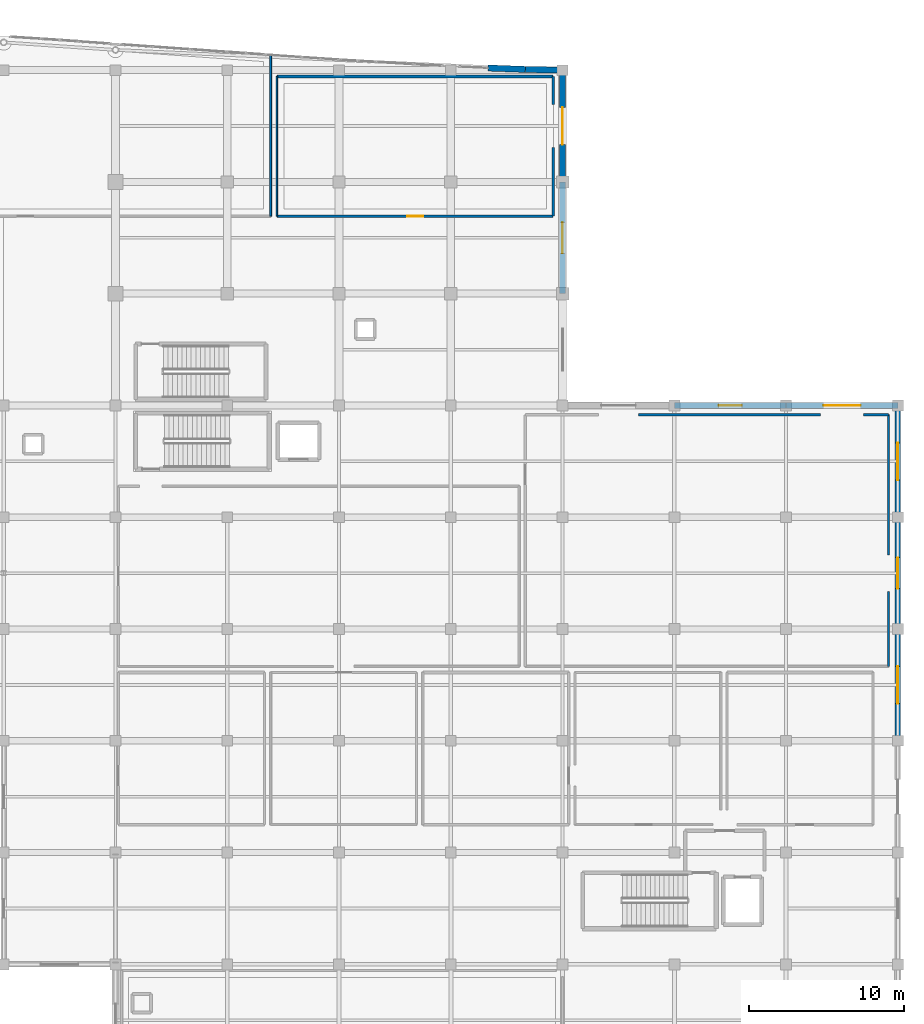
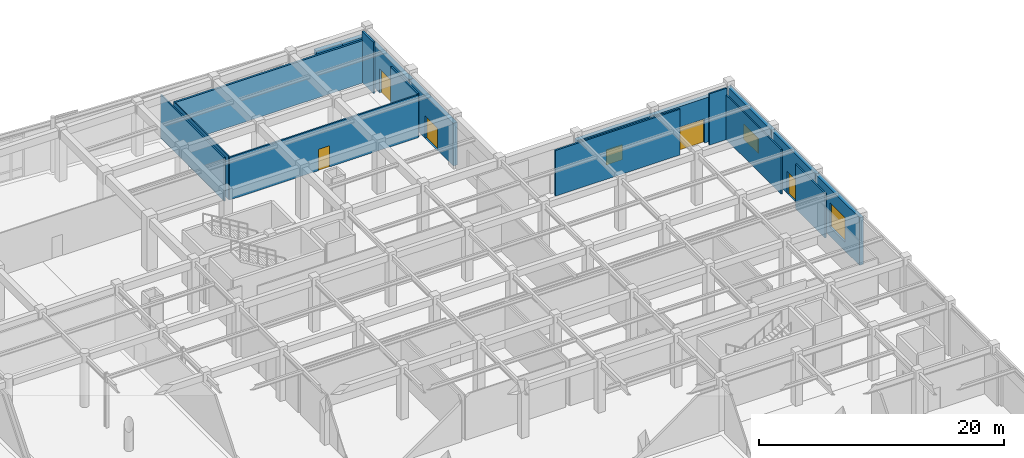
# One storey, part 83 of 102: 19 walls, 5 doors, 3 windows, 8 openings.
"""IFC4 building model written with IfcOpenShell, lengths in metres."""

from ifc_helpers import new_model, si_unit, direction, frame, frame_2d, origin, place, context, subcontext, project, spatial, rectangle, extrude, material, layer, layer_set, type_object, element, fill, save


model = new_model("IFC4")

# Units and contexts
model_context = context("Model", 3, precision=1e-05, world=origin(), true_north=direction((0.0, 1.0)))
body_context = subcontext(model_context, "Body", "Model", "MODEL_VIEW")
ifc_project = project(units=[si_unit("LENGTHUNIT", "METRE"), si_unit("AREAUNIT", "SQUARE_METRE"), si_unit("VOLUMEUNIT", "CUBIC_METRE"), si_unit("PLANEANGLEUNIT", "RADIAN"), si_unit("MASSUNIT", "GRAM", prefix="KILO")], contexts=[model_context])

# Site, building, storey
site_placement = place(None, origin())
site = spatial("IfcSite", under=ifc_project, at=site_placement, CompositionType="ELEMENT")
building_placement = place(site_placement, origin())
building = spatial("IfcBuilding", under=site, at=building_placement, Name="Carrowvane Square Congress Hotel", CompositionType="ELEMENT")
storey_placement = place(building_placement, origin())
storey = spatial("IfcBuildingStorey", under=building, at=storey_placement, Name="L00", CompositionType="ELEMENT", Elevation=0.0)

# Wall, opening, window
ifc_material_1 = material(Name="Glazed terracotta rainscreen", Category="masonry")
ifc_layer_1 = layer(ifc_material_1, 0.360107421875)
ifc_layer_set_1 = layer_set([ifc_layer_1], Name="Glazed terracotta rainscreen")
wall_type_1 = type_object("IfcWallType", Name="WL-EXT-TC360", PredefinedType="STANDARD", material=ifc_layer_set_1)
wall_1_placement = place(storey_placement, frame((184.39990234375, 91.800048828125, 0.0), z_axis=(0.0, 0.0, 1.0), x_axis=(0.0, -1.0, 0.0)))
wall_1 = element("IfcWall", 1, at=wall_1_placement, inside=storey, type_object=wall_type_1, Name="L00 exterior facade wall 160", PredefinedType="STANDARD", context=body_context, shape_type="SweptSolid", body=[
    extrude(rectangle(XDim=7.199951171875, YDim=0.360107421875, at=frame_2d((3.60009765625, 0.0))), origin(), (0.0, 0.0, 1.0), 4.72705078125),
])
opening_1_placement = place(wall_1_placement, frame((2.39990234375, 0.0, 0.89990234375)))
opening_1 = element("IfcOpeningElement", 2, at=opening_1_placement, cuts=wall_1, Name="Opening W-17", PredefinedType="OPENING", context=body_context, shape_type="SweptSolid", body=[
    extrude(rectangle(XDim=2.39990234375, YDim=1.5, at=frame_2d((1.199951171875, 0.75))), frame((0.0, 0.18994140625, 0.0), z_axis=(0.0, -1.0, 0.0), x_axis=(1.0, 0.0, 0.0)), (0.0, 0.0, 1.0), 0.380126953125),
])
ifc_material_2 = material(Name="Double-glazed low-E glass", Category="glass")
window_type_1 = type_object("IfcWindowType", Name="WIN-17", PartitioningType="SINGLE_PANEL", PredefinedType="WINDOW", material=ifc_material_2)
window_1_placement = place(opening_1_placement, origin())
window_1 = element("IfcWindow", 3, at=window_1_placement, inside=storey, type_object=window_type_1, Name="L00 facade window 5", OverallHeight=1.5, OverallWidth=2.39990234375, PartitioningType="SINGLE_PANEL", PredefinedType="WINDOW", context=body_context, shape_type="SweptSolid", body=[
    extrude(rectangle(XDim=2.39990234375, YDim=1.5, at=frame_2d((1.199951171875, 0.75))), frame((0.0, 0.030029296875, 0.0), z_axis=(0.0, -1.0, 0.0), x_axis=(1.0, 0.0, 0.0)), (0.0, 0.0, 1.0), 0.06005859375),
])
fill(opening_1, window_1)

# Wall, opening, door
wall_2_placement = place(storey_placement, frame((184.39990234375, 84.60009765625, 0.0), z_axis=(0.0, 0.0, 1.0), x_axis=(0.0, -1.0, 0.0)))
wall_2 = element("IfcWall", 4, at=wall_2_placement, inside=storey, type_object=wall_type_1, Name="L00 exterior facade wall 161", PredefinedType="STANDARD", context=body_context, shape_type="SweptSolid", body=[
    extrude(rectangle(XDim=7.2001953125, YDim=0.360107421875, at=frame_2d((3.60009765625, 0.0))), origin(), (0.0, 0.0, 1.0), 4.72705078125),
])
opening_2_placement = place(wall_2_placement, frame((2.60009765625, 0.0, 0.0)))
opening_2 = element("IfcOpeningElement", 5, at=opening_2_placement, cuts=wall_2, Name="Opening ED-1", PredefinedType="OPENING", context=body_context, shape_type="SweptSolid", body=[
    extrude(rectangle(XDim=2.0, YDim=2.199951171875, at=frame_2d((1.0, 1.10009765625))), frame((0.0, 0.18994140625, 0.0), z_axis=(0.0, -1.0, 0.0), x_axis=(1.0, 0.0, 0.0)), (0.0, 0.0, 1.0), 0.380126953125),
])
ifc_material_3 = material(Name="Anodised aluminium", Category="aluminium")
door_type_1 = type_object("IfcDoorType", Name="DR-EXIT-2000", OperationType="DOUBLE_DOOR_SINGLE_SWING", PredefinedType="DOOR", material=ifc_material_3)
door_1_placement = place(opening_2_placement, origin())
door_1 = element("IfcDoor", 6, at=door_1_placement, inside=storey, type_object=door_type_1, Name="L00 final exit door ED-18", OperationType="DOUBLE_DOOR_SINGLE_SWING", OverallHeight=2.199951171875, OverallWidth=2.0, PredefinedType="DOOR", context=body_context, shape_type="SweptSolid", body=[
    extrude(rectangle(XDim=2.0, YDim=2.199951171875, at=frame_2d((1.0, 1.10009765625))), frame((0.0, 0.02490234375, 0.0), z_axis=(0.0, -1.0, 0.0), x_axis=(1.0, 0.0, 0.0)), (0.0, 0.0, 1.0), 0.050048828125),
])
fill(opening_2, door_1)

# Wall, opening, window
wall_3_placement = place(storey_placement, frame((184.39990234375, 77.39990234375, 0.0), z_axis=(0.0, 0.0, 1.0), x_axis=(0.0, -1.0, 0.0)))
wall_3 = element("IfcWall", 7, at=wall_3_placement, inside=storey, type_object=wall_type_1, Name="L00 exterior facade wall 162", PredefinedType="STANDARD", context=body_context, shape_type="SweptSolid", body=[
    extrude(rectangle(XDim=7.199951171875, YDim=0.360107421875, at=frame_2d((3.60009765625, 0.0))), origin(), (0.0, 0.0, 1.0), 4.72705078125),
])
opening_3_placement = place(wall_3_placement, frame((2.39990234375, 0.0, 0.89990234375)))
opening_3 = element("IfcOpeningElement", 8, at=opening_3_placement, cuts=wall_3, Name="Opening W-19", PredefinedType="OPENING", context=body_context, shape_type="SweptSolid", body=[
    extrude(rectangle(XDim=2.39990234375, YDim=2.39990234375, at=frame_2d((1.199951171875, 1.199951171875))), frame((0.0, 0.18994140625, 0.0), z_axis=(0.0, -1.0, 0.0), x_axis=(1.0, 0.0, 0.0)), (0.0, 0.0, 1.0), 0.380126953125),
])
ifc_material_4 = material(Name="Double-glazed low-E glass", Category="glass")
window_type_2 = type_object("IfcWindowType", Name="WIN-19", PartitioningType="SINGLE_PANEL", PredefinedType="WINDOW", material=ifc_material_4)
window_2_placement = place(opening_3_placement, origin())
window_2 = element("IfcWindow", 9, at=window_2_placement, inside=storey, type_object=window_type_2, Name="L00 facade window 6", OverallHeight=2.39990234375, OverallWidth=2.39990234375, PartitioningType="SINGLE_PANEL", PredefinedType="WINDOW", context=body_context, shape_type="SweptSolid", body=[
    extrude(rectangle(XDim=2.39990234375, YDim=2.39990234375, at=frame_2d((1.199951171875, 1.199951171875))), frame((0.0, 0.030029296875, 0.0), z_axis=(0.0, -1.0, 0.0), x_axis=(1.0, 0.0, 0.0)), (0.0, 0.0, 1.0), 0.06005859375),
])
fill(opening_3, window_2)

# Walls
ifc_material_5 = material(Name="Glazed terracotta rainscreen", Category="masonry")
ifc_layer_2 = layer(ifc_material_5, 0.39990234375)
ifc_layer_set_2 = layer_set([ifc_layer_2], Name="Glazed terracotta rainscreen")
wall_type_2 = type_object("IfcWallType", Name="WL-EXT-TC400", PredefinedType="STANDARD", material=ifc_layer_set_2)
wall_4_placement = place(storey_placement, frame((158.0, 113.541015625, 0.0), z_axis=(0.0, 0.0, 1.0), x_axis=(0.99930757318, -0.037207179225, 0.0)))
element("IfcWall", 10, at=wall_4_placement, inside=storey, type_object=wall_type_2, Name="L00 exterior facade wall 152", PredefinedType="STANDARD", context=body_context, shape_type="SweptSolid", body=[
    extrude(rectangle(XDim=2.401611328125, YDim=0.39990234375, at=frame_2d((1.20068359375, 0.0))), origin(), (0.0, 0.0, 1.0), 4.3349609375),
])
wall_5_placement = place(storey_placement, frame((160.39990234375, 113.45166015625, 0.0), z_axis=(0.0, 0.0, 1.0), x_axis=(0.999767568547, -0.021559426766, 0.0)))
element("IfcWall", 11, at=wall_5_placement, inside=storey, type_object=wall_type_2, Name="L00 exterior facade wall 153", PredefinedType="STANDARD", context=body_context, shape_type="SweptSolid", body=[
    extrude(rectangle(XDim=2.400634765625, YDim=0.39990234375, at=frame_2d((1.2001953125, 0.0))), origin(), (0.0, 0.0, 1.0), 4.3349609375),
])

# Wall, opening, door
wall_6_placement = place(storey_placement, frame((162.800048828125, 113.39990234375, 0.0), z_axis=(0.0, 0.0, 1.0), x_axis=(0.0, -1.0, 0.0)))
wall_6 = element("IfcWall", 12, at=wall_6_placement, inside=storey, type_object=wall_type_2, Name="L00 exterior facade wall 154", PredefinedType="STANDARD", context=body_context, shape_type="SweptSolid", body=[
    extrude(rectangle(XDim=7.199951171875, YDim=0.39990234375, at=frame_2d((3.60009765625, 0.0))), origin(), (0.0, 0.0, 1.0), 4.235107421875),
])
opening_4_placement = place(wall_6_placement, frame((2.39990234375, 0.0, 0.0)))
opening_4 = element("IfcOpeningElement", 13, at=opening_4_placement, cuts=wall_6, Name="Opening ED-3", PredefinedType="OPENING", context=body_context, shape_type="SweptSolid", body=[
    extrude(rectangle(XDim=2.39990234375, YDim=2.39990234375, at=frame_2d((1.199951171875, 1.199951171875))), frame((0.0, 0.2099609375, 0.0), z_axis=(0.0, -1.0, 0.0), x_axis=(1.0, 0.0, 0.0)), (0.0, 0.0, 1.0), 0.419921875),
])
ifc_material_6 = material(Name="Anodised aluminium", Category="aluminium")
door_type_2 = type_object("IfcDoorType", Name="DR-EXIT-2400", OperationType="DOUBLE_DOOR_SINGLE_SWING", PredefinedType="DOOR", material=ifc_material_6)
door_2_placement = place(opening_4_placement, origin())
door_2 = element("IfcDoor", 14, at=door_2_placement, inside=storey, type_object=door_type_2, Name="L00 final exit door ED-14", OperationType="DOUBLE_DOOR_SINGLE_SWING", OverallHeight=2.39990234375, OverallWidth=2.39990234375, PredefinedType="DOOR", context=body_context, shape_type="SweptSolid", body=[
    extrude(rectangle(XDim=2.39990234375, YDim=2.39990234375, at=frame_2d((1.199951171875, 1.199951171875))), frame((0.0, 0.02490234375, 0.0), z_axis=(0.0, -1.0, 0.0), x_axis=(1.0, 0.0, 0.0)), (0.0, 0.0, 1.0), 0.050048828125),
])
fill(opening_4, door_2)

wall_7_placement = place(storey_placement, frame((162.800048828125, 106.199951171875, 0.0), z_axis=(0.0, 0.0, 1.0), x_axis=(0.0, -1.0, 0.0)))
wall_7 = element("IfcWall", 15, at=wall_7_placement, inside=storey, type_object=wall_type_2, Name="L00 exterior facade wall 155", PredefinedType="STANDARD", context=body_context, shape_type="SweptSolid", body=[
    extrude(rectangle(XDim=7.199951171875, YDim=0.39990234375, at=frame_2d((3.60009765625, 0.0))), origin(), (0.0, 0.0, 1.0), 4.235107421875),
])
opening_5_placement = place(wall_7_placement, frame((2.60009765625, 0.0, 0.0)))
opening_5 = element("IfcOpeningElement", 16, at=opening_5_placement, cuts=wall_7, Name="Opening ED-1", PredefinedType="OPENING", context=body_context, shape_type="SweptSolid", body=[
    extrude(rectangle(XDim=2.0, YDim=2.199951171875, at=frame_2d((1.0, 1.10009765625))), frame((0.0, 0.2099609375, 0.0), z_axis=(0.0, -1.0, 0.0), x_axis=(1.0, 0.0, 0.0)), (0.0, 0.0, 1.0), 0.419921875),
])
door_3_placement = place(opening_5_placement, origin())
door_3 = element("IfcDoor", 17, at=door_3_placement, inside=storey, type_object=door_type_1, Name="L00 final exit door ED-15", OperationType="DOUBLE_DOOR_SINGLE_SWING", OverallHeight=2.199951171875, OverallWidth=2.0, PredefinedType="DOOR", context=body_context, shape_type="SweptSolid", body=[
    extrude(rectangle(XDim=2.0, YDim=2.199951171875, at=frame_2d((1.0, 1.10009765625))), frame((0.0, 0.02490234375, 0.0), z_axis=(0.0, -1.0, 0.0), x_axis=(1.0, 0.0, 0.0)), (0.0, 0.0, 1.0), 0.050048828125),
])
fill(opening_5, door_3)

# Wall, opening, window
wall_8_placement = place(storey_placement, frame((170.0, 91.800048828125, 0.0), z_axis=(0.0, 0.0, 1.0), x_axis=(1.0, 0.0, 0.0)))
wall_8 = element("IfcWall", 18, at=wall_8_placement, inside=storey, type_object=wall_type_2, Name="L00 exterior facade wall 158", PredefinedType="STANDARD", context=body_context, shape_type="SweptSolid", body=[
    extrude(rectangle(XDim=7.199951171875, YDim=0.39990234375, at=frame_2d((3.60009765625, 0.0))), origin(), (0.0, 0.0, 1.0), 4.43505859375),
])
opening_6_placement = place(wall_8_placement, frame((2.85009765625, 0.0, 0.89990234375)))
opening_6 = element("IfcOpeningElement", 19, at=opening_6_placement, cuts=wall_8, Name="Opening W-15", PredefinedType="OPENING", context=body_context, shape_type="SweptSolid", body=[
    extrude(rectangle(XDim=1.5, YDim=1.5, at=frame_2d((0.75, 0.75))), frame((0.0, 0.2099609375, 0.0), z_axis=(0.0, -1.0, 0.0), x_axis=(1.0, 0.0, 0.0)), (0.0, 0.0, 1.0), 0.419921875),
])
ifc_material_7 = material(Name="Double-glazed low-E glass", Category="glass")
window_type_3 = type_object("IfcWindowType", Name="WIN-15", PartitioningType="SINGLE_PANEL", PredefinedType="WINDOW", material=ifc_material_7)
window_3_placement = place(opening_6_placement, origin())
window_3 = element("IfcWindow", 20, at=window_3_placement, inside=storey, type_object=window_type_3, Name="L00 facade window 4", OverallHeight=1.5, OverallWidth=1.5, PartitioningType="SINGLE_PANEL", PredefinedType="WINDOW", context=body_context, shape_type="SweptSolid", body=[
    extrude(rectangle(XDim=1.5, YDim=1.5, at=frame_2d((0.75, 0.75))), frame((0.0, 0.030029296875, 0.0), z_axis=(0.0, -1.0, 0.0), x_axis=(1.0, 0.0, 0.0)), (0.0, 0.0, 1.0), 0.06005859375),
])
fill(opening_6, window_3)

# Wall, opening, door
wall_9_placement = place(storey_placement, frame((177.199951171875, 91.800048828125, 0.0), z_axis=(0.0, 0.0, 1.0), x_axis=(1.0, 0.0, 0.0)))
wall_9 = element("IfcWall", 21, at=wall_9_placement, inside=storey, type_object=wall_type_2, Name="L00 exterior facade wall 159", PredefinedType="STANDARD", context=body_context, shape_type="SweptSolid", body=[
    extrude(rectangle(XDim=7.199951171875, YDim=0.39990234375, at=frame_2d((3.60009765625, 0.0))), origin(), (0.0, 0.0, 1.0), 4.43505859375),
])
opening_7_placement = place(wall_9_placement, frame((2.39990234375, 0.0, 0.0)))
opening_7 = element("IfcOpeningElement", 22, at=opening_7_placement, cuts=wall_9, Name="Opening ED-3", PredefinedType="OPENING", context=body_context, shape_type="SweptSolid", body=[
    extrude(rectangle(XDim=2.39990234375, YDim=2.39990234375, at=frame_2d((1.199951171875, 1.199951171875))), frame((0.0, 0.2099609375, 0.0), z_axis=(0.0, -1.0, 0.0), x_axis=(1.0, 0.0, 0.0)), (0.0, 0.0, 1.0), 0.419921875),
])
door_4_placement = place(opening_7_placement, origin())
door_4 = element("IfcDoor", 23, at=door_4_placement, inside=storey, type_object=door_type_2, Name="L00 final exit door ED-17", OperationType="DOUBLE_DOOR_SINGLE_SWING", OverallHeight=2.39990234375, OverallWidth=2.39990234375, PredefinedType="DOOR", context=body_context, shape_type="SweptSolid", body=[
    extrude(rectangle(XDim=2.39990234375, YDim=2.39990234375, at=frame_2d((1.199951171875, 1.199951171875))), frame((0.0, 0.02490234375, 0.0), z_axis=(0.0, -1.0, 0.0), x_axis=(1.0, 0.0, 0.0)), (0.0, 0.0, 1.0), 0.050048828125),
])
fill(opening_7, door_4)

# Walls
ifc_material_8 = material(Name="Acoustic gypsum board", Category="gypsum")
ifc_layer_3 = layer(ifc_material_8, 0.155029296875)
ifc_layer_set_3 = layer_set([ifc_layer_3], Name="Acoustic gypsum board")
wall_type_3 = type_object("IfcWallType", Name="WL-FIR-155", PredefinedType="PARTITIONING", material=ifc_layer_set_3)
wall_10_placement = place(storey_placement, frame((167.679931640625, 91.199951171875, 0.0), z_axis=(0.0, 0.0, 1.0), x_axis=(1.0, 0.0, 0.0)))
element("IfcWall", 24, at=wall_10_placement, inside=storey, type_object=wall_type_3, Name="L00 Delegate Business Lounge partition", PredefinedType="PARTITIONING", context=body_context, shape_type="SweptSolid", body=[
    extrude(rectangle(XDim=11.739990234375, YDim=0.155029296875, at=frame_2d((5.8701171875, 0.0))), origin(), (0.0, 0.0, 1.0), 4.54833984375),
])
wall_11_placement = place(storey_placement, frame((162.199951171875, 108.419921875, 0.0), z_axis=(0.0, 0.0, 1.0), x_axis=(0.0, -1.0, 0.0)))
element("IfcWall", 25, at=wall_11_placement, inside=storey, type_object=wall_type_3, Name="L00 North Park Waterfront Cocktail Bar partition", PredefinedType="PARTITIONING", context=body_context, shape_type="SweptSolid", body=[
    extrude(rectangle(XDim=4.419921875, YDim=0.155029296875, at=frame_2d((2.2099609375, 0.0))), origin(), (0.0, 0.0, 1.0), 4.3349609375),
])
ifc_material_9 = material(Name="Acoustic gypsum board", Category="gypsum")
ifc_layer_4 = layer(ifc_material_9, 0.169921875)
ifc_layer_set_4 = layer_set([ifc_layer_4], Name="Acoustic gypsum board")
wall_type_4 = type_object("IfcWallType", Name="WL-FIR-170", PredefinedType="PARTITIONING", material=ifc_layer_set_4)
wall_12_placement = place(storey_placement, frame((162.199951171875, 113.0, 0.0), z_axis=(0.0, 0.0, 1.0), x_axis=(0.0, -1.0, 0.0)))
element("IfcWall", 26, at=wall_12_placement, inside=storey, type_object=wall_type_4, Name="L00 North Park Waterfront Cocktail Bar partition", PredefinedType="PARTITIONING", context=body_context, shape_type="SweptSolid", body=[
    extrude(rectangle(XDim=1.820068359375, YDim=0.169921875, at=frame_2d((0.91015625, 0.0))), origin(), (0.0, 0.0, 1.0), 5.10009765625),
])
ifc_material_10 = material(Name="Acoustic gypsum board", Category="gypsum")
ifc_layer_5 = layer(ifc_material_10, 0.18505859375)
ifc_layer_set_5 = layer_set([ifc_layer_5], Name="Acoustic gypsum board")
wall_type_5 = type_object("IfcWallType", Name="WL-FIR-185", PredefinedType="PARTITIONING", material=ifc_layer_set_5)
wall_13_placement = place(storey_placement, frame((144.39990234375, 113.0, 0.0), z_axis=(0.0, 0.0, 1.0), x_axis=(1.0, 0.0, 0.0)))
element("IfcWall", 27, at=wall_13_placement, inside=storey, type_object=wall_type_5, Name="L00 North Park Waterfront Cocktail Bar partition", PredefinedType="PARTITIONING", context=body_context, shape_type="SweptSolid", body=[
    extrude(rectangle(XDim=17.800048828125, YDim=0.18505859375, at=frame_2d((8.89990234375, 0.0))), origin(), (0.0, 0.0, 1.0), 4.235107421875),
])
ifc_material_11 = material(Name="European oak timber", Category="wood")
ifc_layer_6 = layer(ifc_material_11, 0.1220703125)
ifc_layer_set_6 = layer_set([ifc_layer_6], Name="European oak timber")
wall_type_6 = type_object("IfcWallType", Name="WL-MOV-122", PredefinedType="MOVABLE", material=ifc_layer_set_6)
wall_14_placement = place(storey_placement, frame((183.800048828125, 91.199951171875, 0.0), z_axis=(0.0, 0.0, 1.0), x_axis=(0.0, -1.0, 0.0)))
element("IfcWall", 28, at=wall_14_placement, inside=storey, type_object=wall_type_6, Name="L00 Delegate Business Lounge partition", PredefinedType="MOVABLE", context=body_context, shape_type="SweptSolid", body=[
    extrude(rectangle(XDim=9.02001953125, YDim=0.1220703125, at=frame_2d((4.510009765625, 0.0))), origin(), (0.0, 0.0, 1.0), 4.43505859375),
])
ifc_material_12 = material(Name="European oak timber", Category="wood")
ifc_layer_7 = layer(ifc_material_12, 0.14208984375)
ifc_layer_set_7 = layer_set([ifc_layer_7], Name="European oak timber")
wall_type_7 = type_object("IfcWallType", Name="WL-MOV-142", PredefinedType="MOVABLE", material=ifc_layer_set_7)
wall_15_placement = place(storey_placement, frame((183.800048828125, 79.820068359375, 0.0), z_axis=(0.0, 0.0, 1.0), x_axis=(0.0, -1.0, 0.0)))
element("IfcWall", 29, at=wall_15_placement, inside=storey, type_object=wall_type_7, Name="L00 Delegate Business Lounge partition", PredefinedType="MOVABLE", context=body_context, shape_type="SweptSolid", body=[
    extrude(rectangle(XDim=4.820068359375, YDim=0.14208984375, at=frame_2d((2.41015625, 0.0))), origin(), (0.0, 0.0, 1.0), 4.43505859375),
])
ifc_material_13 = material(Name="Acoustic gypsum board", Category="gypsum")
ifc_layer_8 = layer(ifc_material_13, 0.097900390625)
ifc_layer_set_8 = layer_set([ifc_layer_8], Name="Acoustic gypsum board")
wall_type_8 = type_object("IfcWallType", Name="WL-PRT-098", PredefinedType="PARTITIONING", material=ifc_layer_set_8)
wall_16_placement = place(storey_placement, frame((144.39990234375, 104.0, 0.0), z_axis=(0.0, 0.0, 1.0), x_axis=(0.0, 1.0, 0.0)))
element("IfcWall", 30, at=wall_16_placement, inside=storey, type_object=wall_type_8, Name="L00 North Park Waterfront Cocktail Bar partition", PredefinedType="PARTITIONING", context=body_context, shape_type="SweptSolid", body=[
    extrude(rectangle(XDim=9.0, YDim=0.097900390625, at=frame_2d((4.5, 0.0))), origin(), (0.0, 0.0, 1.0), 4.3349609375),
])
ifc_material_14 = material(Name="Acoustic gypsum board", Category="gypsum")
ifc_layer_9 = layer(ifc_material_14, 0.1279296875)
ifc_layer_set_9 = layer_set([ifc_layer_9], Name="Acoustic gypsum board")
wall_type_9 = type_object("IfcWallType", Name="WL-PRT-128", PredefinedType="PARTITIONING", material=ifc_layer_set_9)
wall_17_placement = place(storey_placement, frame((144.0, 114.373779296875, 0.0), z_axis=(0.0, 0.0, 1.0), x_axis=(0.0, -1.0, 0.0)))
element("IfcWall", 31, at=wall_17_placement, inside=storey, type_object=wall_type_9, Name="L00 Carrowvane Brasserie Restaurant partition", PredefinedType="PARTITIONING", context=body_context, shape_type="SweptSolid", body=[
    extrude(rectangle(XDim=10.373779296875, YDim=0.1279296875, at=frame_2d((5.18701171875, 0.0))), origin(), (0.0, 0.0, 1.0), 4.3349609375),
])
ifc_material_15 = material(Name="Acoustic gypsum board", Category="gypsum")
ifc_layer_10 = layer(ifc_material_15, 0.14794921875)
ifc_layer_set_10 = layer_set([ifc_layer_10], Name="Acoustic gypsum board")
wall_type_10 = type_object("IfcWallType", Name="WL-PRT-148", PredefinedType="PARTITIONING", material=ifc_layer_set_10)
wall_18_placement = place(storey_placement, frame((182.179931640625, 91.199951171875, 0.0), z_axis=(0.0, 0.0, 1.0), x_axis=(1.0, 0.0, 0.0)))
element("IfcWall", 32, at=wall_18_placement, inside=storey, type_object=wall_type_10, Name="L00 Delegate Business Lounge partition", PredefinedType="PARTITIONING", context=body_context, shape_type="SweptSolid", body=[
    extrude(rectangle(XDim=1.6201171875, YDim=0.14794921875, at=frame_2d((0.81005859375, 0.0))), origin(), (0.0, 0.0, 1.0), 5.10009765625),
])

# Wall, opening, door
wall_19_placement = place(storey_placement, frame((162.199951171875, 104.0, 0.0), z_axis=(0.0, 0.0, 1.0), x_axis=(-1.0, 0.0, 0.0)))
wall_19 = element("IfcWall", 33, at=wall_19_placement, inside=storey, type_object=wall_type_10, Name="L00 North Park Waterfront Cocktail Bar partition", PredefinedType="PARTITIONING", context=body_context, shape_type="SweptSolid", body=[
    extrude(rectangle(XDim=17.800048828125, YDim=0.14794921875, at=frame_2d((8.89990234375, 0.0))), origin(), (0.0, 0.0, 1.0), 4.235107421875),
])
opening_8_placement = place(wall_19_placement, frame((8.3798828125, 0.0, 0.0)))
opening_8 = element("IfcOpeningElement", 34, at=opening_8_placement, cuts=wall_19, Name="Opening ID-07", PredefinedType="OPENING", context=body_context, shape_type="SweptSolid", body=[
    extrude(rectangle(XDim=1.0400390625, YDim=2.1201171875, at=frame_2d((0.52001953125, 1.06005859375))), frame((0.0, 0.083984375, 0.0), z_axis=(0.0, -1.0, 0.0), x_axis=(1.0, 0.0, 0.0)), (0.0, 0.0, 1.0), 0.16796875),
])
ifc_material_16 = material(Name="European oak timber", Category="wood")
door_type_3 = type_object("IfcDoorType", Name="DR-INT-1040x2120", OperationType="NOTDEFINED", PredefinedType="DOOR", material=ifc_material_16)
door_5_placement = place(opening_8_placement, origin())
door_5 = element("IfcDoor", 35, at=door_5_placement, inside=storey, type_object=door_type_3, Name="L00 North Park Waterfront Cocktail Bar entrance door", OperationType="SINGLE_SWING_RIGHT", OverallHeight=2.1201171875, OverallWidth=1.0400390625, PredefinedType="DOOR", context=body_context, shape_type="SweptSolid", body=[
    extrude(rectangle(XDim=1.0400390625, YDim=2.1201171875, at=frame_2d((0.52001953125, 1.06005859375))), frame((0.0, 0.02490234375, 0.0), z_axis=(0.0, -1.0, 0.0), x_axis=(1.0, 0.0, 0.0)), (0.0, 0.0, 1.0), 0.050048828125),
])
fill(opening_8, door_5)

save(model, "model.ifc")
